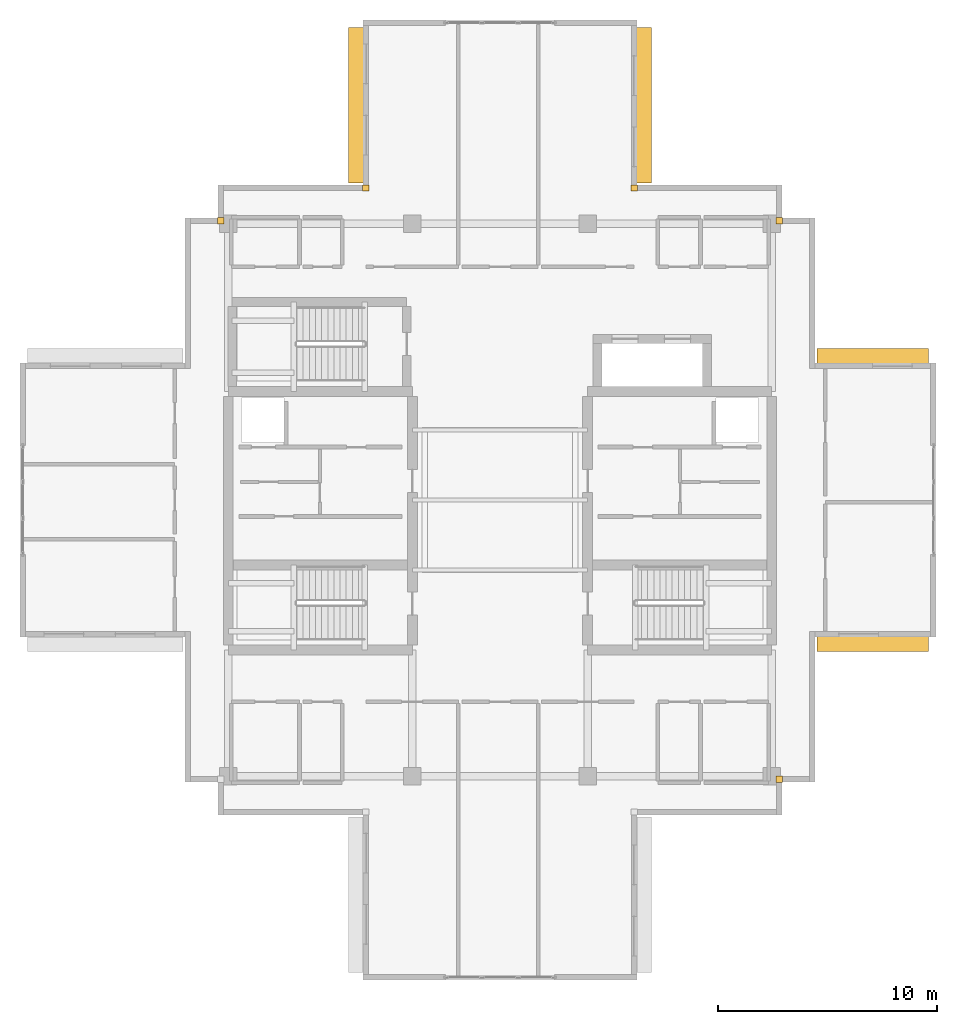
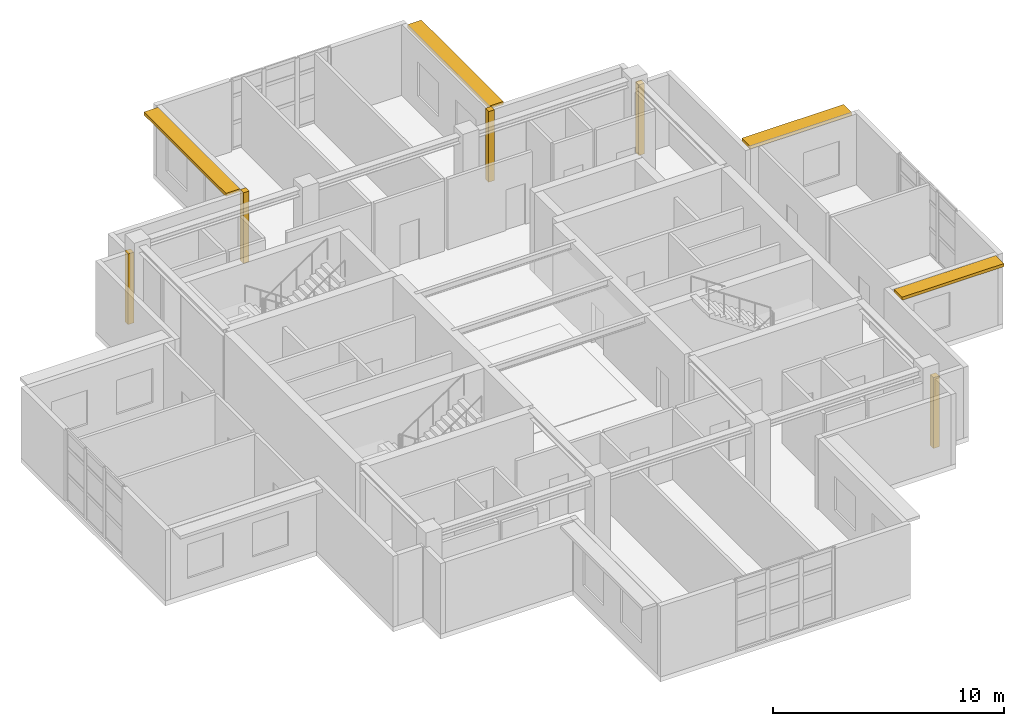
# One storey, part 16 of 16: 5 coverings, 4 shading devices.
"""IFC4 building model written with IfcOpenShell, lengths in metres."""

from ifc_helpers import new_model, si_unit, direction, frame, origin, origin_2d, place, context, subcontext, project, spatial, rectangle, extrude, material, layer, layer_set, type_object, element, save


model = new_model("IFC4")

# Units and contexts
model_context = context("Model", 3, precision=1e-05, world=origin(), true_north=direction((0.0, 1.0)))
body_context = subcontext(model_context, "Body", "Model", "MODEL_VIEW")
ifc_project = project(units=[si_unit("LENGTHUNIT", "METRE"), si_unit("AREAUNIT", "SQUARE_METRE"), si_unit("VOLUMEUNIT", "CUBIC_METRE"), si_unit("PLANEANGLEUNIT", "RADIAN"), si_unit("MASSUNIT", "GRAM", prefix="KILO")], contexts=[model_context])

# Site, building, storey
site_placement = place(None, origin())
site = spatial("IfcSite", under=ifc_project, at=site_placement, CompositionType="ELEMENT")
building_placement = place(site_placement, origin())
building = spatial("IfcBuilding", under=site, at=building_placement, Name="Qingluan Cross Belvedere", CompositionType="ELEMENT")
storey_placement = place(building_placement, frame((0.0, 0.0, 308.39990234375)))
storey = spatial("IfcBuildingStorey", under=building, at=storey_placement, Name="L76", CompositionType="ELEMENT", Elevation=308.39990234375)

# Coverings
ifc_material_1 = material(Name="Precast concrete C45", Category="concrete")
ifc_layer_1 = layer(ifc_material_1, 0.1201171875, Name="ConcreteSpandrelCladding_120")
ifc_layer_set_1 = layer_set([ifc_layer_1], Name="Precast concrete C45")
covering_type = type_object("IfcCoveringType", Name="ConcreteSpandrelCladding_120", PredefinedType="CLADDING", material=ifc_layer_set_1)
for number, where, z_axis, x_axis, name in (
    (1, (12.739990234375, 12.739990234375, 0.0), (0.0, 0.0, 1.0), (1.0, 0.0, 0.0), "Corner closure L76-NE1"),
    (2, (6.1201171875, 14.239990234375, 0.0), (0.0, 0.0, 1.0), (1.0, 0.0, 0.0), "Corner closure L76-NE2"),
    (3, (-12.739990234375, 12.739990234375, 0.0), (0.0, 0.0, 1.0), (1.0, 0.0, 0.0), "Corner closure L76-NW1"),
    (4, (-6.1201171875, 14.239990234375, 0.0), (0.0, 0.0, 1.0), (1.0, 0.0, 0.0), "Corner closure L76-NW2"),
    (5, (12.739990234375, -12.739990234375, 0.0), (0.0, 0.0, 1.0), (1.0, 0.0, 0.0), "Corner closure L76-SE1"),
):
    element("IfcCovering", number, at=place(storey_placement, frame(where, z_axis=z_axis, x_axis=x_axis)), inside=storey, type_object=covering_type, Name=name, PredefinedType="CLADDING", context=body_context, shape_type="SweptSolid", body=[
        extrude(rectangle(XDim=0.2900390625, YDim=0.2900390625, at=origin_2d()), origin(), (0.0, 0.0, 1.0), 3.72998046875),
    ])

# Shading devices
ifc_material_2 = material(Name="Precast concrete C45", Category="concrete")
ifc_layer_2 = layer(ifc_material_2, 0.139892578125, Name="ConcreteSunshadeBand_700")
ifc_layer_set_2 = layer_set([ifc_layer_2], Name="Precast concrete C45")
shading_device_type = type_object("IfcShadingDeviceType", Name="ConcreteSunshadeBand_700", PredefinedType="USERDEFINED", material=ifc_layer_set_2)
for number, where, z_axis, x_axis, name in (
    (6, (17.010009765625, -6.574951171875, 3.55029296875), (0.0, 0.0, 1.0), (1.0, 0.0, 0.0), "Concrete SUNSHADE L76-EA"),
    (7, (17.010009765625, 6.574951171875, 3.55029296875), (0.0, 0.0, 1.0), (-1.0, 0.0, 0.0), "Concrete SUNSHADE L76-EB"),
):
    element("IfcShadingDevice", number, at=place(storey_placement, frame(where, z_axis=z_axis, x_axis=x_axis)), inside=storey, type_object=shading_device_type, Name=name, ObjectType="SUNSHADE", PredefinedType="USERDEFINED", context=body_context, shape_type="SweptSolid", body=[
        extrude(rectangle(XDim=5.090087890625, YDim=0.699951171875, at=origin_2d()), origin(), (0.0, 0.0, 1.0), 0.159912109375),
    ])
for number, where, z_axis, x_axis, name in (
    (8, (6.574951171875, 18.010009765625, 3.55029296875), (0.0, 0.0, 1.0), (0.0, 1.0, 0.0), "Concrete SUNSHADE L76-NA"),
    (9, (-6.574951171875, 18.010009765625, 3.55029296875), (0.0, 0.0, 1.0), (0.0, -1.0, 0.0), "Concrete SUNSHADE L76-NB"),
):
    element("IfcShadingDevice", number, at=place(storey_placement, frame(where, z_axis=z_axis, x_axis=x_axis)), inside=storey, type_object=shading_device_type, Name=name, ObjectType="SUNSHADE", PredefinedType="USERDEFINED", context=body_context, shape_type="SweptSolid", body=[
        extrude(rectangle(XDim=7.090087890625, YDim=0.699951171875, at=origin_2d()), origin(), (0.0, 0.0, 1.0), 0.159912109375),
    ])

save(model, "model.ifc")
